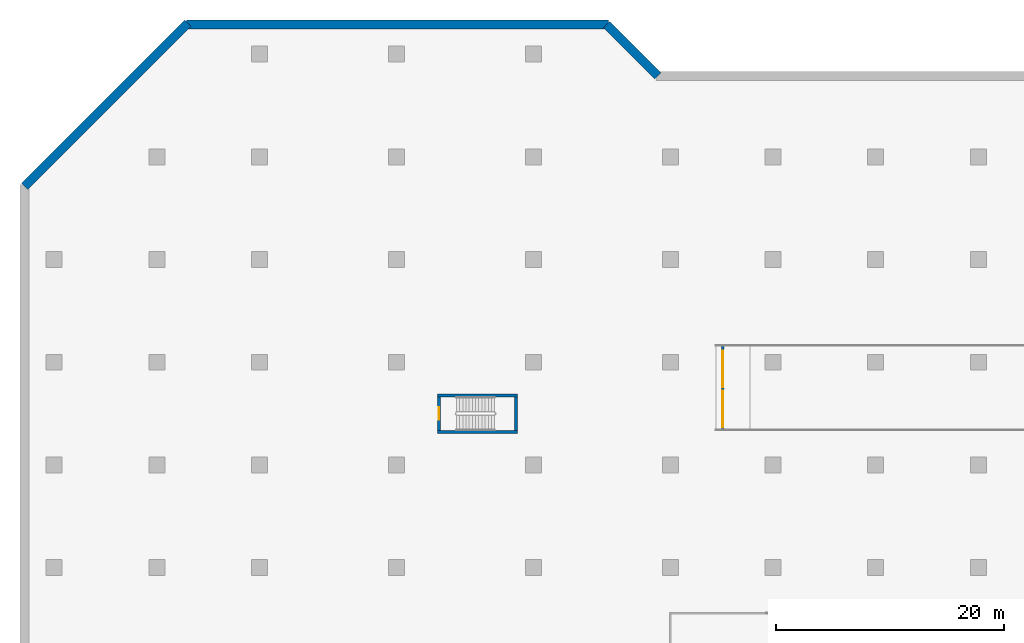
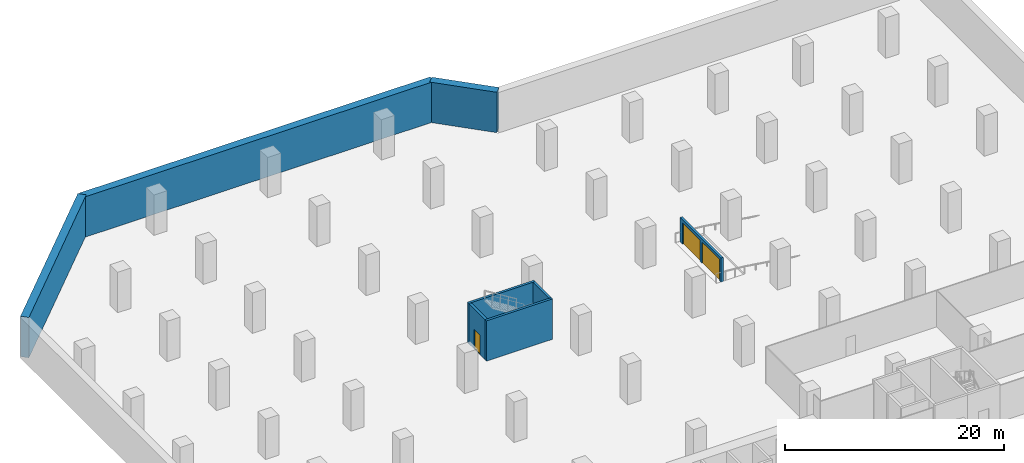
# One storey, part 6 of 9: 8 walls, 3 doors, 3 openings.
"""IFC4 building model written with IfcOpenShell, lengths in metres."""

from ifc_helpers import new_model, si_unit, direction, frame, frame_2d, origin, place, context, subcontext, project, spatial, rectangle, extrude, material, layer, layer_set, type_object, element, fill, save


model = new_model("IFC4")

# Units and contexts
model_context = context("Model", 3, precision=1e-05, world=origin(), true_north=direction((0.0, 1.0)))
body_context = subcontext(model_context, "Body", "Model", "MODEL_VIEW")
ifc_project = project(units=[si_unit("LENGTHUNIT", "METRE"), si_unit("AREAUNIT", "SQUARE_METRE"), si_unit("VOLUMEUNIT", "CUBIC_METRE"), si_unit("PLANEANGLEUNIT", "RADIAN"), si_unit("MASSUNIT", "GRAM", prefix="KILO")], contexts=[model_context])

# Site, building, storey
site_placement = place(None, origin())
site = spatial("IfcSite", under=ifc_project, at=site_placement, CompositionType="ELEMENT")
building_placement = place(site_placement, origin())
building = spatial("IfcBuilding", under=site, at=building_placement, Name="Chenar Terraces", CompositionType="ELEMENT")
storey_placement = place(building_placement, frame((0.0, 0.0, -4.5)))
storey = spatial("IfcBuildingStorey", under=building, at=storey_placement, Name="B1", CompositionType="ELEMENT", Elevation=-4.5)

# Walls
ifc_material_1 = material(Name="Concrete C70/85", Category="concrete")
ifc_layer_1 = layer(ifc_material_1, 0.25)
ifc_layer_set_1 = layer_set([ifc_layer_1], Name="Concrete C70/85")
wall_type_1 = type_object("IfcWallType", Name="Core wall 250 Concrete C70/85", PredefinedType="SHEAR", material=ifc_layer_set_1)
for number, where, z_axis, x_axis, name in (
    (1, (15.60009765625, 47.89990234375, 0.0), (0.0, 0.0, 1.0), (1.0, 0.0, 0.0), "Core wall ST4_S B1"),
    (2, (15.60009765625, 51.10009765625, 0.0), (0.0, 0.0, 1.0), (1.0, 0.0, 0.0), "Core wall ST4_N B1"),
):
    element("IfcWall", number, at=place(storey_placement, frame(where, z_axis=z_axis, x_axis=x_axis)), inside=storey, type_object=wall_type_1, Name=name, PredefinedType="SHEAR", context=body_context, shape_type="SweptSolid", body=[
        extrude(rectangle(XDim=7.0, YDim=0.25, at=frame_2d((3.5, 0.0))), origin(), (0.0, 0.0, 1.0), 4.5),
    ])

# Wall, opening, door
wall_1_placement = place(storey_placement, frame((15.72509765625, 48.02490234375, 0.0), z_axis=(0.0, 0.0, 1.0), x_axis=(0.0, 1.0, 0.0)))
wall_1 = element("IfcWall", 3, at=wall_1_placement, inside=storey, type_object=wall_type_1, Name="Core wall ST4_W B1", PredefinedType="SHEAR", context=body_context, shape_type="SweptSolid", body=[
    extrude(rectangle(XDim=2.9501953125, YDim=0.25, at=frame_2d((1.47509765625, 0.0))), origin(), (0.0, 0.0, 1.0), 4.5),
])
opening_1_placement = place(wall_1_placement, frame((0.925048828125, 0.0, 0.0)))
opening_1 = element("IfcOpeningElement", 4, at=opening_1_placement, cuts=wall_1, Name="Opening DB1-C9", PredefinedType="OPENING", context=body_context, shape_type="SweptSolid", body=[
    extrude(rectangle(XDim=1.10009765625, YDim=2.199951171875, at=frame_2d((0.550048828125, 1.10009765625))), frame((0.0, 0.135009765625, 0.0), z_axis=(0.0, -1.0, 0.0), x_axis=(1.0, 0.0, 0.0)), (0.0, 0.0, 1.0), 0.27001953125),
])
ifc_material_2 = material(Name="Steel-framed fire-resisting door leaf", Category="steel")
door_type_1 = type_object("IfcDoorType", Name="Stair fire door FD60 1100 x 2200", OperationType="SINGLE_SWING_LEFT", PredefinedType="DOOR", material=ifc_material_2)
door_1_placement = place(opening_1_placement, frame((1.10009765625, 0.0, 0.0), z_axis=(0.0, 0.0, 1.0), x_axis=(-1.0, 0.0, 0.0)))
door_1 = element("IfcDoor", 5, at=door_1_placement, inside=storey, type_object=door_type_1, Name="Stair door DB1-C9", OperationType="SINGLE_SWING_LEFT", OverallHeight=2.199951171875, OverallWidth=1.10009765625, PredefinedType="DOOR", context=body_context, shape_type="SweptSolid", body=[
    extrude(rectangle(XDim=1.10009765625, YDim=2.199951171875, at=frame_2d((0.550048828125, 1.10009765625))), frame((0.0, 0.02490234375, 0.0), z_axis=(0.0, -1.0, 0.0), x_axis=(1.0, 0.0, 0.0)), (0.0, 0.0, 1.0), 0.050048828125),
])
fill(opening_1, door_1)

# Walls
wall_2_placement = place(storey_placement, frame((22.47509765625, 48.02490234375, 0.0), z_axis=(0.0, 0.0, 1.0), x_axis=(0.0, 1.0, 0.0)))
element("IfcWall", 6, at=wall_2_placement, inside=storey, type_object=wall_type_1, Name="Core wall ST4_E B1", PredefinedType="SHEAR", context=body_context, shape_type="SweptSolid", body=[
    extrude(rectangle(XDim=2.9501953125, YDim=0.25, at=frame_2d((1.47509765625, 0.0))), origin(), (0.0, 0.0, 1.0), 4.5),
])
ifc_material_3 = material(Name="Concrete C40/50", Category="concrete")
ifc_layer_2 = layer(ifc_material_3, 0.800048828125)
ifc_layer_set_2 = layer_set([ifc_layer_2], Name="Concrete C40/50")
wall_type_2 = type_object("IfcWallType", Name="Diaphragm wall 800 Concrete C40/50", PredefinedType="SOLIDWALL", material=ifc_layer_set_2)
wall_3_placement = place(storey_placement, frame((34.91162109375, 79.10009765625, 0.0), z_axis=(0.0, 0.0, 1.0), x_axis=(-0.707106781187, 0.707106781187, 0.0)))
element("IfcWall", 7, at=wall_3_placement, inside=storey, type_object=wall_type_2, Name="Diaphragm wall B1 1", PredefinedType="SOLIDWALL", context=body_context, shape_type="SweptSolid", body=[
    extrude(rectangle(XDim=6.364013671875, YDim=0.800048828125, at=frame_2d((3.18212890625, 0.0))), origin(), (0.0, 0.0, 1.0), 4.5),
])
wall_4_placement = place(storey_placement, frame((30.5771484375, 83.60009765625, 0.0), z_axis=(0.0, 0.0, 1.0), x_axis=(-1.0, 0.0, 0.0)))
element("IfcWall", 8, at=wall_4_placement, inside=storey, type_object=wall_type_2, Name="Diaphragm wall B1 2", PredefinedType="SOLIDWALL", context=body_context, shape_type="SweptSolid", body=[
    extrude(rectangle(XDim=36.98876953125, YDim=0.800048828125, at=frame_2d((18.494384765625, 0.0))), origin(), (0.0, 0.0, 1.0), 4.5),
])
wall_5_placement = place(storey_placement, frame((-6.294189453125, 83.71728515625, 0.0), z_axis=(0.0, 0.0, 1.0), x_axis=(-0.707112814855, -0.707100747466, 0.0)))
element("IfcWall", 9, at=wall_5_placement, inside=storey, type_object=wall_type_2, Name="Diaphragm wall B1 3", PredefinedType="SOLIDWALL", context=body_context, shape_type="SweptSolid", body=[
    extrude(rectangle(XDim=20.2314453125, YDim=0.800048828125, at=frame_2d((10.11572265625, 0.0))), origin(), (0.0, 0.0, 1.0), 4.5),
])

# Wall, openings, doors
ifc_material_4 = material(Name="Reinforced concrete C40/50", Category="concrete")
ifc_layer_3 = layer(ifc_material_4, 0.25)
ifc_layer_set_3 = layer_set([ifc_layer_3], Name="Reinforced concrete C40/50")
wall_type_3 = type_object("IfcWallType", Name="Entrance wall 250 concrete", PredefinedType="SOLIDWALL", material=ifc_layer_set_3)
wall_6_placement = place(storey_placement, frame((40.60009765625, 48.0, -0.050048828125), z_axis=(0.0, 0.0, 1.0), x_axis=(0.0, 1.0, 0.0)))
wall_6 = element("IfcWall", 10, at=wall_6_placement, inside=storey, type_object=wall_type_3, Name="R2 entrance wall", PredefinedType="SOLIDWALL", context=body_context, shape_type="SweptSolid", body=[
    extrude(rectangle(XDim=7.5, YDim=0.25, at=frame_2d((3.75, 0.0))), origin(), (0.0, 0.0, 1.0), 2.699951171875),
])
opening_2_placement = place(wall_6_placement, frame((0.300048828125, 0.0, 0.0)))
opening_2 = element("IfcOpeningElement", 11, at=opening_2_placement, cuts=wall_6, Name="Opening VG-R2.1", PredefinedType="OPENING", context=body_context, shape_type="SweptSolid", body=[
    extrude(rectangle(XDim=3.199951171875, YDim=2.39990234375, at=frame_2d((1.60009765625, 1.199951171875))), frame((0.0, 0.135009765625, 0.0), z_axis=(0.0, -1.0, 0.0), x_axis=(1.0, 0.0, 0.0)), (0.0, 0.0, 1.0), 0.27001953125),
])
opening_3_placement = place(wall_6_placement, frame((3.800048828125, 0.0, 0.0)))
opening_3 = element("IfcOpeningElement", 12, at=opening_3_placement, cuts=wall_6, Name="Opening VG-R2.2", PredefinedType="OPENING", context=body_context, shape_type="SweptSolid", body=[
    extrude(rectangle(XDim=3.199951171875, YDim=2.39990234375, at=frame_2d((1.60009765625, 1.199951171875))), frame((0.0, 0.135009765625, 0.0), z_axis=(0.0, -1.0, 0.0), x_axis=(1.0, 0.0, 0.0)), (0.0, 0.0, 1.0), 0.27001953125),
])
ifc_material_5 = material(Name="Galvanised steel", Category="steel")
door_type_2 = type_object("IfcDoorType", Name="Vehicle gate 3200 x 2400 sliding", OperationType="SLIDING_TO_LEFT", PredefinedType="GATE", material=ifc_material_5)
door_2_placement = place(opening_2_placement, origin())
door_2 = element("IfcDoor", 13, at=door_2_placement, inside=storey, type_object=door_type_2, Name="Vehicle gate R2.1", OperationType="SLIDING_TO_LEFT", OverallHeight=2.39990234375, OverallWidth=3.199951171875, PredefinedType="GATE", context=body_context, shape_type="SweptSolid", body=[
    extrude(rectangle(XDim=3.199951171875, YDim=2.39990234375, at=frame_2d((1.60009765625, 1.199951171875))), frame((0.0, 0.02490234375, 0.0), z_axis=(0.0, -1.0, 0.0), x_axis=(1.0, 0.0, 0.0)), (0.0, 0.0, 1.0), 0.050048828125),
])
fill(opening_2, door_2)
door_3_placement = place(opening_3_placement, origin())
door_3 = element("IfcDoor", 14, at=door_3_placement, inside=storey, type_object=door_type_2, Name="Vehicle gate R2.2", OperationType="SLIDING_TO_LEFT", OverallHeight=2.39990234375, OverallWidth=3.199951171875, PredefinedType="GATE", context=body_context, shape_type="SweptSolid", body=[
    extrude(rectangle(XDim=3.199951171875, YDim=2.39990234375, at=frame_2d((1.60009765625, 1.199951171875))), frame((0.0, 0.02490234375, 0.0), z_axis=(0.0, -1.0, 0.0), x_axis=(1.0, 0.0, 0.0)), (0.0, 0.0, 1.0), 0.050048828125),
])
fill(opening_3, door_3)

save(model, "model.ifc")
